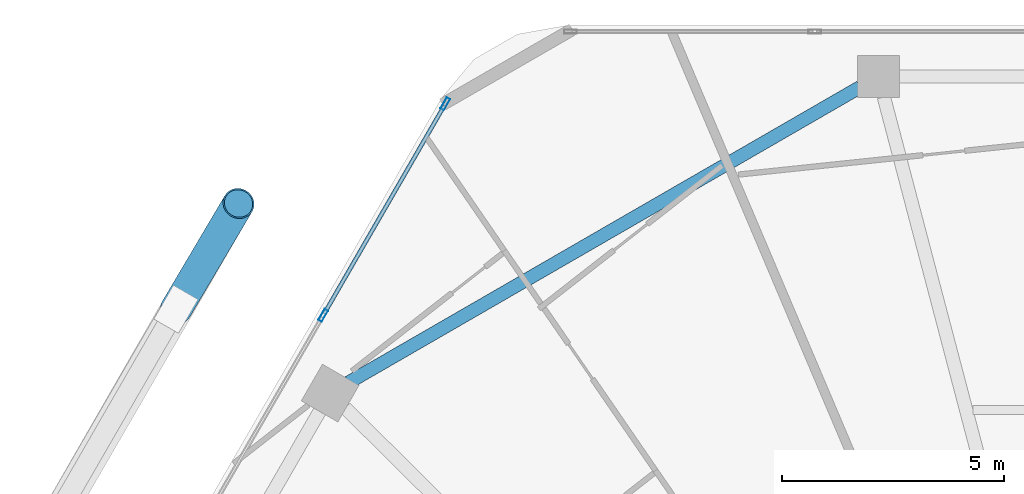
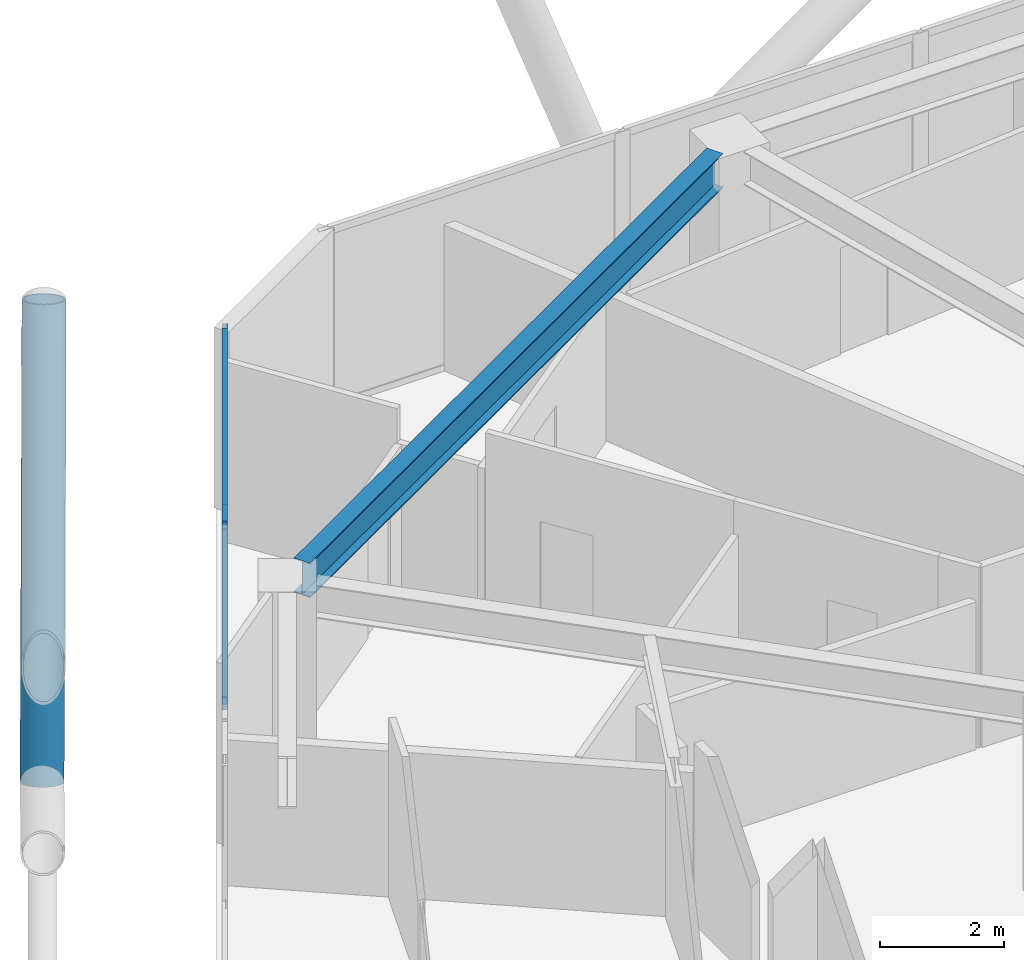
# One storey, part 13 of 27: 5 members, 1 beam, 1 element without a shape of its own.
"""IFC4 building model written with IfcOpenShell, lengths in metres."""

import ifcopenshell
import ifcopenshell.guid

model = None  # the IFC model being written
_history = None  # IfcOwnerHistory: only IFC2X3 demands one
_inside = {}  # id of a spatial element -> (the spatial element, [elements in it])
_under = {}  # id of a project, library or spatial element -> (it, [spatial elements below it])
_declared = {}  # id of a project -> (the project, [libraries it declares])
_typed = {}  # id of a type object -> (the type object, [elements of that type])
_made_of = {}  # id of a material, layer set ... -> (it, [elements and type objects made of it])


def new_model(schema):
    """Start an empty IFC model of exactly this schema.

    Asked for "IFC4X3", IfcOpenShell would pick the latest addendum, in which some entities
    have other attributes; the version numbers below select the first issue.
    IFC2X3 requires an IfcOwnerHistory on every rooted entity: one is made here for all.
    """
    global model, _history
    if schema == "IFC4X3":
        model = ifcopenshell.file(schema_version=(4, 3, 0, 0))
    else:
        model = ifcopenshell.file(schema=schema)
    _inside.clear()
    _under.clear()
    _declared.clear()
    _typed.clear()
    _made_of.clear()
    _history = None
    if model.schema == "IFC2X3":
        org = make("IfcOrganization", Name="unknown")
        user = make(
            "IfcPersonAndOrganization",
            ThePerson=make("IfcPerson", FamilyName="unknown"),
            TheOrganization=org,
        )
        app = make(
            "IfcApplication",
            ApplicationDeveloper=org,
            Version="unknown",
            ApplicationFullName="unknown",
            ApplicationIdentifier="unknown",
        )
        _history = make(
            "IfcOwnerHistory",
            OwningUser=user,
            OwningApplication=app,
            ChangeAction="ADDED",
            CreationDate=0,
        )
    return model


def make(cls, **values):
    """One entity of the class cls with the attributes given. An attribute that is None is left unset."""
    return model.create_entity(
        cls, **{name: value for name, value in values.items() if value is not None}
    )


def rooted(cls, **values):
    """An entity with a GlobalId (a new one), such as an element, a storey or a relation."""
    return make(cls, GlobalId=ifcopenshell.guid.new(), OwnerHistory=_history, **values)


def si_unit(unit_type, name, prefix=None):
    """IfcSIUnit, for example si_unit("LENGTHUNIT", "METRE", prefix="MILLI")."""
    return make("IfcSIUnit", UnitType=unit_type, Prefix=prefix, Name=name)


def assignment(units):
    """IfcUnitAssignment: the units of a project."""
    return None if units is None else make("IfcUnitAssignment", Units=units)


def point(xyz):
    """IfcCartesianPoint."""
    return None if xyz is None else make("IfcCartesianPoint", Coordinates=xyz)


def direction(xyz):
    """IfcDirection."""
    return None if xyz is None else make("IfcDirection", DirectionRatios=xyz)


def frame(location, z_axis=None, x_axis=None):
    """IfcAxis2Placement3D, a coordinate frame: its origin and axes. An axis left out is left unset."""
    return make(
        "IfcAxis2Placement3D",
        Location=point(location),
        Axis=direction(z_axis),
        RefDirection=direction(x_axis),
    )


def frame_2d(location, x_axis=None):
    """IfcAxis2Placement2D, a coordinate frame in the plane: its origin and x axis."""
    return make(
        "IfcAxis2Placement2D", Location=point(location), RefDirection=direction(x_axis)
    )


def origin():
    """The frame at (0, 0, 0) with its axes left unset."""
    return frame((0.0, 0.0, 0.0))


def origin_2d():
    """The frame at (0, 0) in the plane with its x axis left unset."""
    return frame_2d((0.0, 0.0))


def place(relative_to, where):
    """IfcLocalPlacement: puts the frame where relative to a parent placement (None: the world)."""
    return make(
        "IfcLocalPlacement", PlacementRelTo=relative_to, RelativePlacement=where
    )


def context(
    kind, dimensions, precision=None, world=None, true_north=None, identifier=None
):
    """IfcGeometricRepresentationContext, for example the 3D "Model" context."""
    return make(
        "IfcGeometricRepresentationContext",
        ContextIdentifier=identifier,
        ContextType=kind,
        CoordinateSpaceDimension=dimensions,
        Precision=precision,
        WorldCoordinateSystem=world,
        TrueNorth=true_north,
    )


def subcontext(parent, identifier, kind, view, scale=None):
    """IfcGeometricRepresentationSubContext, for example "Body" below "Model"."""
    return make(
        "IfcGeometricRepresentationSubContext",
        ContextIdentifier=identifier,
        ContextType=kind,
        ParentContext=parent,
        TargetScale=scale,
        TargetView=view,
    )


def project(units=None, contexts=None):
    """IfcProject with its units and contexts."""
    return rooted(
        "IfcProject",
        Name="project",
        RepresentationContexts=contexts,
        UnitsInContext=assignment(units),
    )


def spatial(cls, under=None, at=None, **own):
    """A site, building, storey or space (cls), placed at a placement, below another one or the project."""
    s = rooted(cls, ObjectPlacement=at, **own)
    if under is not None:
        _under.setdefault(under.id(), (under, []))[1].append(s)
    return s


def profile(cls, at=None, kind="AREA", **sizes):
    """A parametric profile (cls). Its sizes go by their IFC names, for example OverallWidth=200.0."""
    return make(cls, ProfileType=kind, Position=at, **sizes)


def hollow_rectangle(**sizes):
    """IfcRectangleHollowProfileDef."""
    return profile("IfcRectangleHollowProfileDef", **sizes)


def hollow_circle(**sizes):
    """IfcCircleHollowProfileDef."""
    return profile("IfcCircleHollowProfileDef", **sizes)


def i_section(**sizes):
    """IfcIShapeProfileDef."""
    return profile("IfcIShapeProfileDef", **sizes)


def extrude(swept, where, along, depth):
    """IfcExtrudedAreaSolid: the profile swept, set in the frame where, extruded along a direction by depth."""
    return make(
        "IfcExtrudedAreaSolid",
        SweptArea=swept,
        Position=where,
        ExtrudedDirection=direction(along),
        Depth=depth,
    )


def shape(context_of_items, identifier, shape_type, items):
    """IfcShapeRepresentation: the items that make up one representation, for example the "Body"."""
    return make(
        "IfcShapeRepresentation",
        ContextOfItems=context_of_items,
        RepresentationIdentifier=identifier,
        RepresentationType=shape_type,
        Items=items,
    )


def material(Name=None, Category=None):
    """IfcMaterial."""
    return make("IfcMaterial", Name=Name, Category=Category)


def material_profile(
    of_material, cross_section, Name=None, Category=None, Priority=None
):
    """IfcMaterialProfile: a cross section and its material."""
    return make(
        "IfcMaterialProfile",
        Name=Name,
        Material=of_material,
        Profile=cross_section,
        Priority=Priority,
        Category=Category,
    )


def profile_set(profiles, Name=None, composite=None):
    """IfcMaterialProfileSet."""
    return make(
        "IfcMaterialProfileSet",
        Name=Name,
        MaterialProfiles=profiles,
        CompositeProfile=composite,
    )


def made_of(thing, what):
    """Note that an element or type object is made of a material, layer set ...; save() writes the relation."""
    if what is not None:
        _made_of.setdefault(what.id(), (what, []))[1].append(thing)
    return thing


def type_object(cls, material=None, **own):
    """A type object (cls), such as IfcWallType, which elements share."""
    return made_of(rooted(cls, **own), material)


def element(
    cls,
    number,
    at=None,
    inside=None,
    cuts=None,
    type_object=None,
    material=None,
    context=None,
    identifier="Body",
    shape_type=None,
    held_by="IfcProductDefinitionShape",
    body=None,
    shapes=None,
    **own,
):
    """One element of the class cls, such as IfcWall. Its Tag is "e" and its number.

    at: its placement. inside: the storey or other place that contains it. cuts: it is an
    opening in that element (IfcRelVoidsElement). A single representation is given by context,
    identifier, shape_type and body (its items); several are given by shapes. held_by: the class
    of the entity that holds the representations. save() writes the other relations.
    """
    e = rooted(cls, Tag="e%d" % number, ObjectPlacement=at, **own)
    if body is not None:
        shapes = [shape(context, identifier, shape_type, body)]
    if shapes is not None:
        e.Representation = make(held_by, Representations=shapes)
    if inside is not None:
        _inside.setdefault(inside.id(), (inside, []))[1].append(e)
    if cuts is not None:
        rooted(
            "IfcRelVoidsElement", RelatingBuildingElement=cuts, RelatedOpeningElement=e
        )
    if type_object is not None:
        _typed.setdefault(type_object.id(), (type_object, []))[1].append(e)
    return made_of(e, material)


def aggregate(whole, parts):
    """IfcRelAggregates: a whole, such as a stair, and the parts it consists of."""
    return rooted("IfcRelAggregates", RelatingObject=whole, RelatedObjects=parts)


def save(model, path):
    """Write the relations noted so far, then the file.

    IfcRelAggregates (storeys below a building ...), IfcRelContainedInSpatialStructure (elements
    in a storey), IfcRelDefinesByType, IfcRelAssociatesMaterial and IfcRelDeclares: one each for
    every whole, place, type object, material and project.
    """
    for whole, parts in _under.values():
        aggregate(whole, parts)
    for where, things in _inside.values():
        rooted(
            "IfcRelContainedInSpatialStructure",
            RelatedElements=things,
            RelatingStructure=where,
        )
    for kind, things in _typed.values():
        rooted("IfcRelDefinesByType", RelatedObjects=things, RelatingType=kind)
    for what, things in _made_of.values():
        rooted("IfcRelAssociatesMaterial", RelatedObjects=things, RelatingMaterial=what)
    for by, libraries in _declared.values():
        rooted("IfcRelDeclares", RelatingContext=by, RelatedDefinitions=libraries)
    model.write(path)


model = new_model("IFC4")

# Units and contexts
model_context = context("Model", 3, precision=1e-05, world=origin(), true_north=direction((0.0, 1.0)))
body_context = subcontext(model_context, "Body", "Model", "MODEL_VIEW")
ifc_project = project(units=[si_unit("LENGTHUNIT", "METRE"), si_unit("AREAUNIT", "SQUARE_METRE"), si_unit("VOLUMEUNIT", "CUBIC_METRE"), si_unit("PLANEANGLEUNIT", "RADIAN"), si_unit("MASSUNIT", "GRAM", prefix="KILO")], contexts=[model_context])

# Site, building, storey
site_placement = place(None, origin())
site = spatial("IfcSite", under=ifc_project, at=site_placement, CompositionType="ELEMENT")
building_placement = place(site_placement, origin())
building = spatial("IfcBuilding", under=site, at=building_placement, Name="Zuhravey Tower", CompositionType="ELEMENT")
storey_placement = place(building_placement, frame((0.0, 0.0, 215.0)))
storey = spatial("IfcBuildingStorey", under=building, at=storey_placement, Name="L54", CompositionType="ELEMENT", Elevation=215.0)

# Curtain wall, members
ifc_material_1 = material(Name="Thermally broken anodised aluminium", Category="aluminium")
curtain_wall_type = type_object("IfcCurtainWallType", Name="Zone 1-2 Residential Curtain Wall CW3", PredefinedType="NOTDEFINED", material=ifc_material_1)
curtain_wall_placement = place(storey_placement, origin())
curtain_wall = element("IfcCurtainWall", 1, at=curtain_wall_placement, inside=storey, type_object=curtain_wall_type, Name="L54 CW3 CW-L54-F3-1", PredefinedType="NOTDEFINED")
ifc_material_2 = material(Name="Anodised aluminium", Category="aluminium")
ifc_material_profile_1 = material_profile(ifc_material_2, hollow_rectangle(XDim=0.090087890625, YDim=0.284912109375, WallThickness=0.0048828125, at=origin_2d()), Name="ALU-RHS-90x285x5")
ifc_profile_set_1 = profile_set([ifc_material_profile_1], Name="Anodised aluminium")
member_type_1 = type_object("IfcMemberType", Name="Curtain-Wall Mullion 90x180", PredefinedType="MULLION", material=ifc_profile_set_1)
member_1_placement = place(storey_placement, frame((16.6171875, 52.7939453125, 0.0), z_axis=(0.0, 0.0, 1.0), x_axis=(-0.866025138215, 0.500000459979, 0.0)))
member_1 = element("IfcMember", 2, at=member_1_placement, type_object=member_type_1, Name="CW3 mullion 5", PredefinedType="MULLION", context=body_context, shape_type="SweptSolid", body=[
    extrude(hollow_rectangle(XDim=0.090087890625, YDim=0.284912109375, WallThickness=0.0048828125, at=origin_2d()), origin(), (0.0, 0.0, 1.0), 3.550048828125),
])
member_2_placement = place(storey_placement, frame((19.36669921875, 57.556640625, 0.0), z_axis=(0.0, 0.0, 1.0), x_axis=(-0.866025138215, 0.500000459979, 0.0)))
member_2 = element("IfcMember", 3, at=member_2_placement, type_object=member_type_1, Name="CW3 mullion 6", PredefinedType="MULLION", context=body_context, shape_type="SweptSolid", body=[
    extrude(hollow_rectangle(XDim=0.090087890625, YDim=0.284912109375, WallThickness=0.0048828125, at=origin_2d()), origin(), (0.0, 0.0, 1.0), 3.550048828125),
])
ifc_material_profile_2 = material_profile(ifc_material_2, hollow_rectangle(XDim=0.090087890625, YDim=0.14990234375, WallThickness=0.0048828125, at=origin_2d()), Name="ALU-RHS-90x150x5")
ifc_profile_set_2 = profile_set([ifc_material_profile_2], Name="Anodised aluminium")
member_type_2 = type_object("IfcMemberType", Name="Curtain-Wall Transom 90x150", PredefinedType="USERDEFINED", material=ifc_profile_set_2)
member_3_placement = place(storey_placement, frame((16.6396484375, 52.8330078125, 0.044921875), z_axis=(0.499993332629, 0.866029253159, 0.0), x_axis=(-0.866029253159, 0.499993332629, 0.0)))
member_3 = element("IfcMember", 4, at=member_3_placement, type_object=member_type_2, Name="CW3 transom 5.1", ObjectType="TRANSOM", PredefinedType="USERDEFINED", context=body_context, shape_type="SweptSolid", body=[
    extrude(hollow_rectangle(XDim=0.090087890625, YDim=0.14990234375, WallThickness=0.0048828125, at=origin_2d()), origin(), (0.0, 0.0, 1.0), 5.4091796875),
])
member_4_placement = place(storey_placement, frame((16.6396484375, 52.8330078125, 3.5048828125), z_axis=(0.499993332629, 0.866029253159, 0.0), x_axis=(-0.866029253159, 0.499993332629, 0.0)))
member_4 = element("IfcMember", 5, at=member_4_placement, type_object=member_type_2, Name="CW3 transom 5.2", ObjectType="TRANSOM", PredefinedType="USERDEFINED", context=body_context, shape_type="SweptSolid", body=[
    extrude(hollow_rectangle(XDim=0.090087890625, YDim=0.14990234375, WallThickness=0.0048828125, at=origin_2d()), origin(), (0.0, 0.0, 1.0), 5.4091796875),
])
aggregate(curtain_wall, [member_1, member_2, member_3, member_4])

# Member
ifc_material_3 = material(Name="Steel SM460", Category="steel")
ifc_material_profile_3 = material_profile(ifc_material_3, hollow_circle(Radius=0.355712890625, WallThickness=0.031982421875, at=origin_2d()), Name="CHS-711.2x32")
ifc_profile_set_3 = profile_set([ifc_material_profile_3], Name="Steel SM460")
member_type_3 = type_object("IfcMemberType", Name="Exoskeleton Zone 2 Diagrid CHS711x32", PredefinedType="BRACE", material=ifc_profile_set_3)
member_5_placement = place(storey_placement, frame((13.306884765625, 52.940185546875, -0.444091796875), z_axis=(0.174641459802, 0.295103720853, 0.939369019319), x_axis=(-0.860591717752, 0.509295489217, 0.0)))
element("IfcMember", 6, at=member_5_placement, inside=storey, type_object=member_type_3, Name="L54 Face 3 Diagrid Brace 1", PredefinedType="BRACE", context=body_context, shape_type="SweptSolid", body=[
    extrude(hollow_circle(Radius=0.355712890625, WallThickness=0.031982421875, at=origin_2d()), origin(), (0.0, 0.0, 1.0), 8.048095703125),
])

# Beam
ifc_material_4 = material(Name="Steel SM355", Category="steel")
ifc_material_profile_4 = material_profile(ifc_material_4, i_section(OverallWidth=0.300048828125, OverallDepth=0.679931640625, WebThickness=0.012939453125, FlangeThickness=0.02197265625, at=origin_2d()), Name="H-680x300x13x22")
ifc_profile_set_4 = profile_set([ifc_material_profile_4], Name="Steel SM355")
beam_type = type_object("IfcBeamType", Name="Perimeter Ring Beam H680x300", PredefinedType="BEAM", material=ifc_profile_set_4)
beam_placement = place(storey_placement, frame((28.7041015625, 57.93408203125, 3.2099609375), z_axis=(-0.866029041019, -0.499993700073, 0.0), x_axis=(0.499993700073, -0.866029041019, 0.0)))
element("IfcBeam", 7, at=beam_placement, inside=storey, type_object=beam_type, Name="L54 PB2 BM-L54-PB-04", PredefinedType="BEAM", context=body_context, shape_type="SweptSolid", body=[
    extrude(i_section(OverallWidth=0.300048828125, OverallDepth=0.679931640625, WebThickness=0.012939453125, FlangeThickness=0.02197265625, at=origin_2d()), origin(), (0.0, 0.0, 1.0), 13.297119140625),
])

save(model, "model.ifc")
